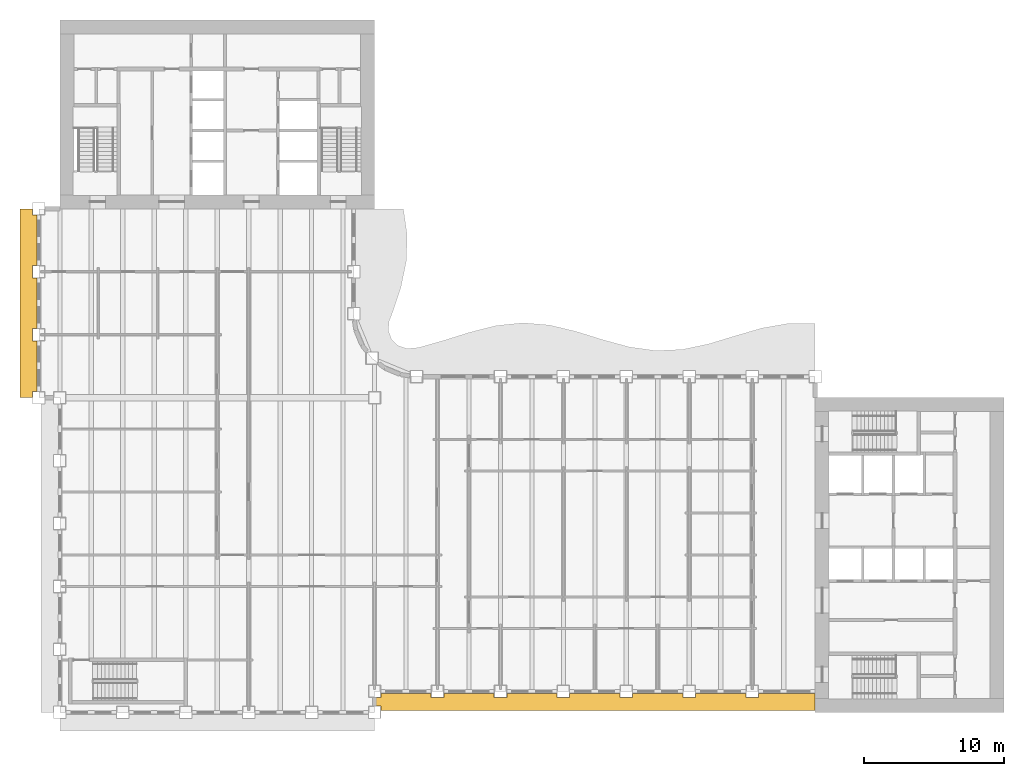
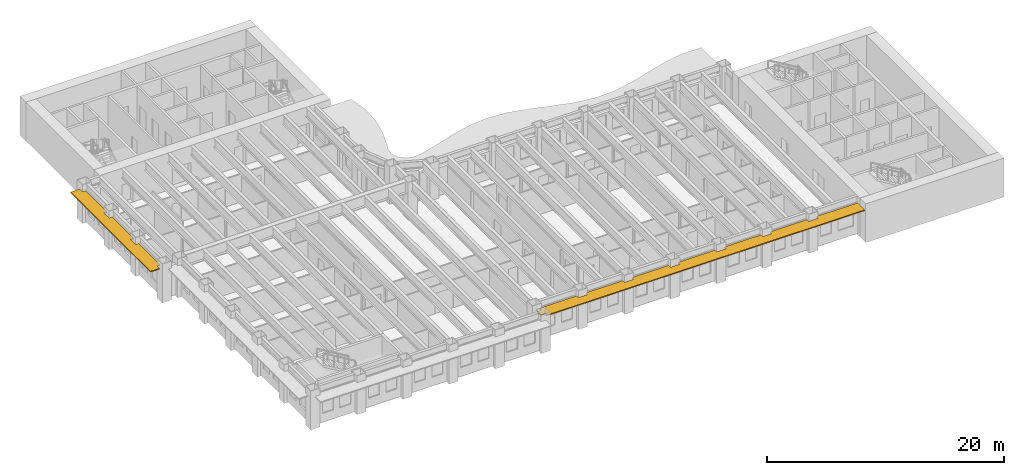
# One storey, part 12 of 16: 2 shading devices.
"""IFC4 building model written with IfcOpenShell, lengths in metres."""

from ifc_helpers import new_model, si_unit, direction, frame, origin, place, context, subcontext, project, spatial, polyline, outline, extrude, material, layer, layer_set, type_object, element, save


model = new_model("IFC4")

# Units and contexts
model_context = context("Model", 3, precision=1e-05, world=origin(), true_north=direction((0.0, 1.0)))
body_context = subcontext(model_context, "Body", "Model", "MODEL_VIEW")
ifc_project = project(units=[si_unit("LENGTHUNIT", "METRE"), si_unit("AREAUNIT", "SQUARE_METRE"), si_unit("VOLUMEUNIT", "CUBIC_METRE"), si_unit("PLANEANGLEUNIT", "RADIAN"), si_unit("MASSUNIT", "GRAM", prefix="KILO")], contexts=[model_context])

# Site, building, storey
site_placement = place(None, origin())
site = spatial("IfcSite", under=ifc_project, at=site_placement, CompositionType="ELEMENT")
building_placement = place(site_placement, origin())
building = spatial("IfcBuilding", under=site, at=building_placement, Name="Sennacour Bend Tower", CompositionType="ELEMENT")
storey_placement = place(building_placement, frame((0.0, 0.0, 179.0)))
storey = spatial("IfcBuildingStorey", under=building, at=storey_placement, Name="L41", CompositionType="ELEMENT", Elevation=179.0)

# Shading devices
ifc_material = material(Name="Bronze anodised aluminium", Category="aluminium")
ifc_layer = layer(ifc_material, 0.10009765625, Name="Bronze anodised aluminium", Category="aluminium")
ifc_layer_set = layer_set([ifc_layer], Name="Bronze anodised aluminium")
shading_device_type = type_object("IfcShadingDeviceType", Name="SUNSHADE BAND STRAIGHT", PredefinedType="USERDEFINED", material=ifc_layer_set)
shading_device_1_placement = place(storey_placement, frame((0.0, 0.0, 3.049072265625)))
element("IfcShadingDevice", 1, at=shading_device_1_placement, inside=storey, type_object=shading_device_type, Name="Sunshade band L41 A outer face", ObjectType="SUNSHADE", PredefinedType="USERDEFINED", context=body_context, shape_type="SweptSolid", body=[
    extrude(outline(polyline([(26.550048828125, 1.35009765625), (26.550048828125, 1.050048828125), (27.449951171875, 1.050048828125), (27.449951171875, 1.35009765625), (31.050048828125, 1.35009765625), (31.050048828125, 1.050048828125), (31.949951171875, 1.050048828125), (31.949951171875, 1.35009765625), (35.550048828125, 1.35009765625), (35.550048828125, 1.050048828125), (36.449951171875, 1.050048828125), (36.449951171875, 1.35009765625), (40.050048828125, 1.35009765625), (40.050048828125, 1.050048828125), (40.949951171875, 1.050048828125), (40.949951171875, 1.35009765625), (44.550048828125, 1.35009765625), (44.550048828125, 1.050048828125), (45.449951171875, 1.050048828125), (45.449951171875, 1.35009765625), (49.050048828125, 1.35009765625), (49.050048828125, 1.050048828125), (49.949951171875, 1.050048828125), (49.949951171875, 1.35009765625), (54.0, 1.35009765625), (54.0, 0.14990234375), (22.949951171875, 0.14990234375), (22.949951171875, 0.449951171875), (22.5, 0.449951171875), (22.5, 1.050048828125), (22.949951171875, 1.050048828125), (22.949951171875, 1.35009765625), (26.550048828125, 1.35009765625)])), origin(), (0.0, 0.0, 1.0), 0.099853515625),
])
shading_device_2_placement = place(storey_placement, frame((0.0, 0.0, 3.049072265625)))
element("IfcShadingDevice", 2, at=shading_device_2_placement, inside=storey, type_object=shading_device_type, Name="Sunshade band L41 B outer face", ObjectType="SUNSHADE", PredefinedType="USERDEFINED", context=body_context, shape_type="SweptSolid", body=[
    extrude(outline(polyline([(-1.64990234375, 31.949951171875), (-1.949951171875, 31.949951171875), (-1.949951171875, 31.050048828125), (-1.64990234375, 31.050048828125), (-1.64990234375, 27.449951171875), (-1.949951171875, 27.449951171875), (-1.949951171875, 26.550048828125), (-1.64990234375, 26.550048828125), (-1.64990234375, 22.949951171875), (-1.949951171875, 22.949951171875), (-1.949951171875, 22.5), (-2.85009765625, 22.5), (-2.85009765625, 36.0), (-1.949951171875, 36.0), (-1.949951171875, 35.550048828125), (-1.64990234375, 35.550048828125), (-1.64990234375, 31.949951171875)])), origin(), (0.0, 0.0, 1.0), 0.099853515625),
])

save(model, "model.ifc")
